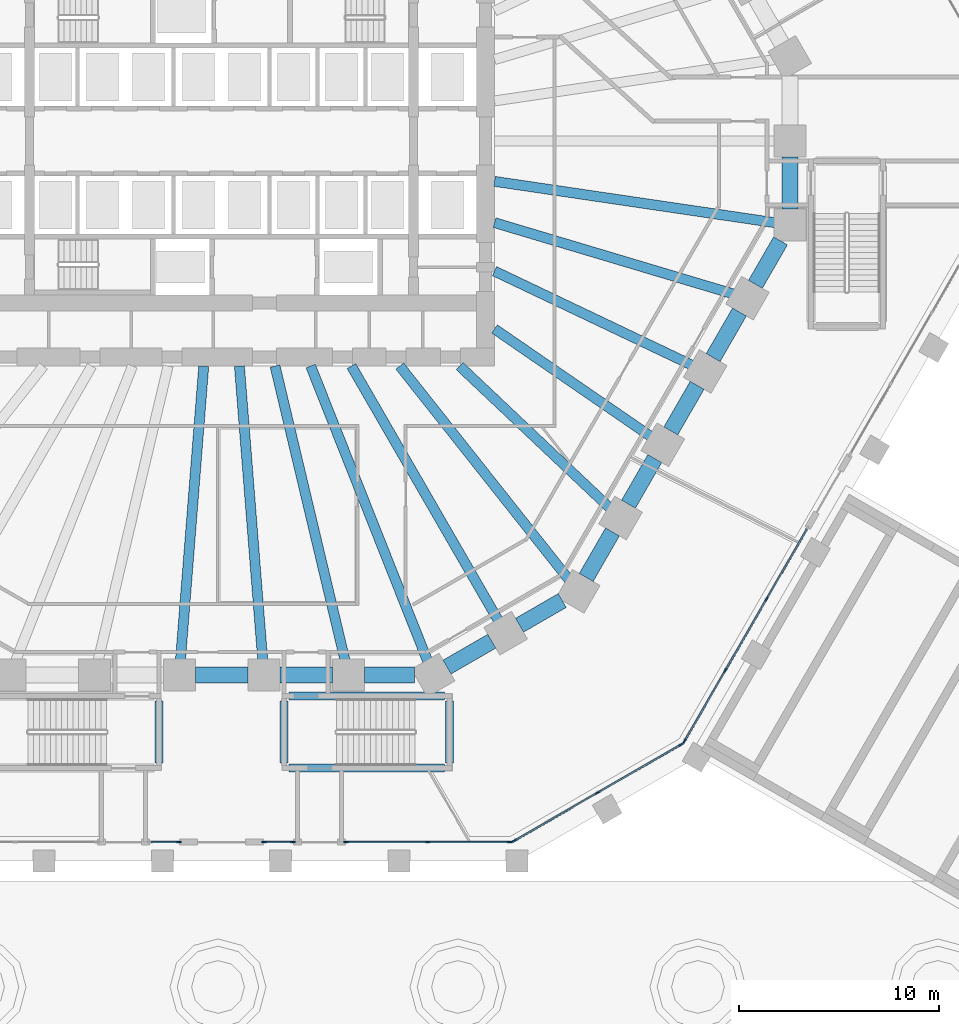
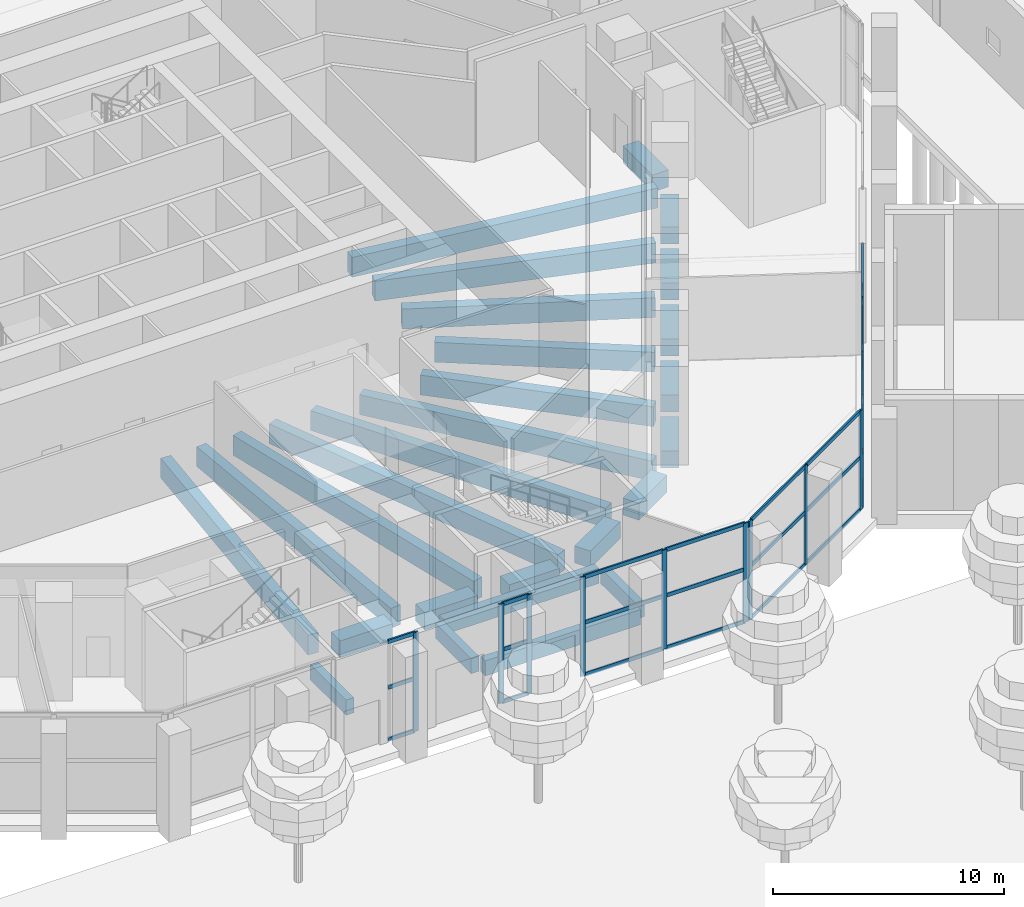
# One storey, part 6 of 44: 39 members, 27 beams, 5 elements without a shape of their own.
"""IFC4 building model written with IfcOpenShell, lengths in metres."""

from ifc_helpers import new_model, si_unit, direction, frame, origin, origin_2d, place, context, subcontext, project, spatial, rectangle, extrude, material, material_profile, profile_set, type_object, element, aggregate, save


model = new_model("IFC4")

# Units and contexts
model_context = context("Model", 3, precision=1e-05, world=origin(), true_north=direction((0.0, 1.0)))
body_context = subcontext(model_context, "Body", "Model", "MODEL_VIEW")
ifc_project = project(units=[si_unit("LENGTHUNIT", "METRE"), si_unit("AREAUNIT", "SQUARE_METRE"), si_unit("VOLUMEUNIT", "CUBIC_METRE"), si_unit("PLANEANGLEUNIT", "RADIAN"), si_unit("MASSUNIT", "GRAM", prefix="KILO")], contexts=[model_context])

# Site, building, storey
site_placement = place(None, origin())
site = spatial("IfcSite", under=ifc_project, at=site_placement, CompositionType="ELEMENT")
building_placement = place(site_placement, origin())
building = spatial("IfcBuilding", under=site, at=building_placement, Name="Frailejon Research Tower", CompositionType="ELEMENT")
storey_placement = place(building_placement, origin())
storey = spatial("IfcBuildingStorey", under=building, at=storey_placement, Name="L00", CompositionType="ELEMENT", Elevation=0.0)

# Beams
ifc_material_1 = material(Name="Concrete C60/75", Category="concrete")
ifc_material_profile_1 = material_profile(ifc_material_1, rectangle(XDim=0.5, YDim=1.050048828125, at=origin_2d()), Name="Girder 500x1050")
ifc_profile_set_1 = profile_set([ifc_material_profile_1], Name="Concrete C60/75")
beam_type_1 = type_object("IfcBeamType", Name="Girder 500x1050", PredefinedType="BEAM", material=ifc_profile_set_1)
beam_1_placement = place(storey_placement, frame((27.76123046875, -4.091552734375, -0.875), z_axis=(-0.989312272049, 0.145812305287, 0.0), x_axis=(-0.145812305287, -0.989312272049, 0.0)))
element("IfcBeam", 1, at=beam_1_placement, inside=storey, type_object=beam_type_1, Name="Girder 500x1050", PredefinedType="BEAM", context=body_context, shape_type="SweptSolid", body=[
    extrude(rectangle(XDim=0.5, YDim=1.050048828125, at=origin_2d()), origin(), (0.0, 0.0, 1.0), 14.263671875),
])
for number, where, z_axis, x_axis, name in (
    (2, (-2.064453125, -26.049560546875, -0.875), (0.079001387797, 0.996874506007, 0.0), (-0.996874506007, 0.079001387797, 0.0), "Girder 500x1050"),
    (3, (2.064453125, -26.049560546875, -0.875), (-0.079001387797, 0.996874506007, 0.0), (-0.996874506007, -0.079001387797, 0.0), "Girder 500x1050"),
):
    element("IfcBeam", number, at=place(storey_placement, frame(where, z_axis=z_axis, x_axis=x_axis)), inside=storey, type_object=beam_type_1, Name=name, PredefinedType="BEAM", context=body_context, shape_type="SweptSolid", body=[
        extrude(rectangle(XDim=0.5, YDim=1.050048828125, at=origin_2d()), origin(), (0.0, 0.0, 1.0), 14.845947265625),
    ])
beam_2_placement = place(storey_placement, frame((6.1923828125, -26.0458984375, -0.875), z_axis=(-0.23129352639, 0.972884013976, 0.0), x_axis=(-0.972884013976, -0.23129352639, 0.0)))
element("IfcBeam", 4, at=beam_2_placement, inside=storey, type_object=beam_type_1, Name="Girder 500x1050", PredefinedType="BEAM", context=body_context, shape_type="SweptSolid", body=[
    extrude(rectangle(XDim=0.5, YDim=1.050048828125, at=origin_2d()), origin(), (0.0, 0.0, 1.0), 15.208251953125),
])
beam_3_placement = place(storey_placement, frame((10.33740234375, -26.087646484375, -0.875), z_axis=(-0.368395300595, 0.929669243602, 0.0), x_axis=(-0.929669243602, -0.368395300595, 0.0)))
element("IfcBeam", 5, at=beam_3_placement, inside=storey, type_object=beam_type_1, Name="Girder 500x1050", PredefinedType="BEAM", context=body_context, shape_type="SweptSolid", body=[
    extrude(rectangle(XDim=0.5, YDim=1.050048828125, at=origin_2d()), origin(), (0.0, 0.0, 1.0), 15.960205078125),
])
beam_4_placement = place(storey_placement, frame((13.88134765625, -24.043212890625, -0.875), z_axis=(-0.500003328639, 0.866023481986, 0.0), x_axis=(-0.866023481986, -0.500003328639, 0.0)))
element("IfcBeam", 6, at=beam_4_placement, inside=storey, type_object=beam_type_1, Name="Girder 500x1050", PredefinedType="BEAM", context=body_context, shape_type="SweptSolid", body=[
    extrude(rectangle(XDim=0.5, YDim=1.050048828125, at=origin_2d()), origin(), (0.0, 0.0, 1.0), 14.7724609375),
])
beam_5_placement = place(storey_placement, frame((17.3916015625, -21.955322265625, -0.875), z_axis=(-0.620924993475, 0.783869984422, 0.0), x_axis=(-0.783869984422, -0.620924993475, 0.0)))
element("IfcBeam", 7, at=beam_5_placement, inside=storey, type_object=beam_type_1, Name="Girder 500x1050", PredefinedType="BEAM", context=body_context, shape_type="SweptSolid", body=[
    extrude(rectangle(XDim=0.5, YDim=1.050048828125, at=origin_2d()), origin(), (0.0, 0.0, 1.0), 13.656982421875),
])
beam_6_placement = place(storey_placement, frame((19.460205078125, -18.3857421875, -0.875), z_axis=(-0.72688803019, 0.686755991285, 0.0), x_axis=(-0.686755991285, -0.72688803019, 0.0)))
element("IfcBeam", 8, at=beam_6_placement, inside=storey, type_object=beam_type_1, Name="Girder 500x1050", PredefinedType="BEAM", context=body_context, shape_type="SweptSolid", body=[
    extrude(rectangle(XDim=0.5, YDim=1.050048828125, at=origin_2d()), origin(), (0.0, 0.0, 1.0), 10.390625),
])
beam_7_placement = place(storey_placement, frame((21.52734375, -14.8125, -0.875), z_axis=(-0.823825821578, 0.566843025626, 0.0), x_axis=(-0.566843025626, -0.823825821578, 0.0)))
element("IfcBeam", 9, at=beam_7_placement, inside=storey, type_object=beam_type_1, Name="Girder 500x1050", PredefinedType="BEAM", context=body_context, shape_type="SweptSolid", body=[
    extrude(rectangle(XDim=0.5, YDim=1.050048828125, at=origin_2d()), origin(), (0.0, 0.0, 1.0), 9.56201171875),
])
beam_8_placement = place(storey_placement, frame((23.591796875, -11.23681640625, -0.875), z_axis=(-0.902829780982, 0.429998123917, 0.0), x_axis=(-0.429998123917, -0.902829780982, 0.0)))
element("IfcBeam", 10, at=beam_8_placement, inside=storey, type_object=beam_type_1, Name="Girder 500x1050", PredefinedType="BEAM", context=body_context, shape_type="SweptSolid", body=[
    extrude(rectangle(XDim=0.5, YDim=1.050048828125, at=origin_2d()), origin(), (0.0, 0.0, 1.0), 11.011962890625),
])
beam_9_placement = place(storey_placement, frame((25.652587890625, -7.66015625, -0.875), z_axis=(-0.958189747387, 0.286133549242, 0.0), x_axis=(-0.286133549242, -0.958189747387, 0.0)))
element("IfcBeam", 11, at=beam_9_placement, inside=storey, type_object=beam_type_1, Name="Girder 500x1050", PredefinedType="BEAM", context=body_context, shape_type="SweptSolid", body=[
    extrude(rectangle(XDim=0.5, YDim=1.050048828125, at=origin_2d()), origin(), (0.0, 0.0, 1.0), 12.5263671875),
])

# Curtain wall, member
ifc_material_2 = material(Name="Aluminium curtain wall", Category="aluminium")
curtain_wall_type = type_object("IfcCurtainWallType", Name="Lobby atrium curtain wall system", PredefinedType="NOTDEFINED", material=ifc_material_2)
curtain_wall_1_placement = place(storey_placement, origin())
curtain_wall_1 = element("IfcCurtainWall", 12, at=curtain_wall_1_placement, inside=storey, type_object=curtain_wall_type, Name="Curtain wall L00", PredefinedType="NOTDEFINED")
ifc_material_3 = material(Name="Aluminium extrusion", Category="aluminium")
ifc_material_profile_2 = material_profile(ifc_material_3, rectangle(XDim=0.080078125, YDim=0.25, at=origin_2d()), Name="Lobby atrium curtain wall mullion 80x250")
ifc_profile_set_2 = profile_set([ifc_material_profile_2], Name="Aluminium extrusion")
member_type_1 = type_object("IfcMemberType", Name="Lobby atrium curtain wall mullion 80x250", PredefinedType="MULLION", material=ifc_profile_set_2)
member_1_placement = place(storey_placement, frame((-2.139892578125, -35.050048828125, 0.0), z_axis=(0.0, 0.0, 1.0), x_axis=(0.0, 1.0, 0.0)))
member_1 = element("IfcMember", 13, at=member_1_placement, type_object=member_type_1, Name="CW1-X04 mullion 2", PredefinedType="MULLION", context=body_context, shape_type="SweptSolid", body=[
    extrude(rectangle(XDim=0.080078125, YDim=0.25, at=origin_2d()), origin(), (0.0, 0.0, 1.0), 5.25),
])

# Curtain wall, members
curtain_wall_2_placement = place(storey_placement, origin())
curtain_wall_2 = element("IfcCurtainWall", 14, at=curtain_wall_2_placement, inside=storey, type_object=curtain_wall_type, Name="Curtain wall L00", PredefinedType="NOTDEFINED")
member_2_placement = place(storey_placement, frame((2.139892578125, -35.050048828125, 0.0), z_axis=(0.0, 0.0, 1.0), x_axis=(0.0, 1.0, 0.0)))
member_2 = element("IfcMember", 15, at=member_2_placement, type_object=member_type_1, Name="CW1-017 mullion 1", PredefinedType="MULLION", context=body_context, shape_type="SweptSolid", body=[
    extrude(rectangle(XDim=0.080078125, YDim=0.25, at=origin_2d()), origin(), (0.0, 0.0, 1.0), 5.25),
])
member_3_placement = place(storey_placement, frame((3.556884765625, -35.050048828125, 0.0), z_axis=(0.0, 0.0, 1.0), x_axis=(0.0, 1.0, 0.0)))
member_3 = element("IfcMember", 16, at=member_3_placement, type_object=member_type_1, Name="CW1-017 mullion 2", PredefinedType="MULLION", context=body_context, shape_type="SweptSolid", body=[
    extrude(rectangle(XDim=0.080078125, YDim=0.25, at=origin_2d()), origin(), (0.0, 0.0, 1.0), 5.25),
])

curtain_wall_3_placement = place(storey_placement, origin())
curtain_wall_3 = element("IfcCurtainWall", 17, at=curtain_wall_3_placement, inside=storey, type_object=curtain_wall_type, Name="Curtain wall L00", PredefinedType="NOTDEFINED")
member_4_placement = place(storey_placement, frame((6.23681640625, -35.050048828125, 0.0), z_axis=(0.0, 0.0, 1.0), x_axis=(0.0, 1.0, 0.0)))
member_4 = element("IfcMember", 18, at=member_4_placement, type_object=member_type_1, Name="CW1-X05 mullion 1", PredefinedType="MULLION", context=body_context, shape_type="SweptSolid", body=[
    extrude(rectangle(XDim=0.080078125, YDim=0.25, at=origin_2d()), origin(), (0.0, 0.0, 1.0), 5.25),
])
member_5_placement = place(storey_placement, frame((10.3134765625, -35.050048828125, 0.0), z_axis=(0.0, 0.0, 1.0), x_axis=(0.0, 1.0, 0.0)))
member_5 = element("IfcMember", 19, at=member_5_placement, type_object=member_type_1, Name="CW1-X05 mullion 2", PredefinedType="MULLION", context=body_context, shape_type="SweptSolid", body=[
    extrude(rectangle(XDim=0.080078125, YDim=0.25, at=origin_2d()), origin(), (0.0, 0.0, 1.0), 5.25),
])
member_6_placement = place(storey_placement, frame((14.39013671875, -35.050048828125, 0.0), z_axis=(0.0, 0.0, 1.0), x_axis=(0.0, 1.0, 0.0)))
member_6 = element("IfcMember", 20, at=member_6_placement, type_object=member_type_1, Name="CW1-X05 mullion 3", PredefinedType="MULLION", context=body_context, shape_type="SweptSolid", body=[
    extrude(rectangle(XDim=0.080078125, YDim=0.25, at=origin_2d()), origin(), (0.0, 0.0, 1.0), 5.25),
])

curtain_wall_4_placement = place(storey_placement, origin())
curtain_wall_4 = element("IfcCurtainWall", 21, at=curtain_wall_4_placement, inside=storey, type_object=curtain_wall_type, Name="Curtain wall L00", PredefinedType="NOTDEFINED")
member_7_placement = place(storey_placement, frame((14.6513671875, -34.97998046875, 0.0), z_axis=(0.0, 0.0, 1.0), x_axis=(-0.499999874334, 0.866025476338, 0.0)))
member_7 = element("IfcMember", 22, at=member_7_placement, type_object=member_type_1, Name="CW1-018 mullion 1", PredefinedType="MULLION", context=body_context, shape_type="SweptSolid", body=[
    extrude(rectangle(XDim=0.080078125, YDim=0.25, at=origin_2d()), origin(), (0.0, 0.0, 1.0), 5.25),
])
member_8_placement = place(storey_placement, frame((18.8095703125, -32.5791015625, 0.0), z_axis=(0.0, 0.0, 1.0), x_axis=(-0.499999874334, 0.866025476338, 0.0)))
member_8 = element("IfcMember", 23, at=member_8_placement, type_object=member_type_1, Name="CW1-018 mullion 2", PredefinedType="MULLION", context=body_context, shape_type="SweptSolid", body=[
    extrude(rectangle(XDim=0.080078125, YDim=0.25, at=origin_2d()), origin(), (0.0, 0.0, 1.0), 5.25),
])
member_9_placement = place(storey_placement, frame((22.968017578125, -30.178466796875, 0.0), z_axis=(0.0, 0.0, 1.0), x_axis=(-0.499999874334, 0.866025476338, 0.0)))
member_9 = element("IfcMember", 24, at=member_9_placement, type_object=member_type_1, Name="CW1-018 mullion 3", PredefinedType="MULLION", context=body_context, shape_type="SweptSolid", body=[
    extrude(rectangle(XDim=0.080078125, YDim=0.25, at=origin_2d()), origin(), (0.0, 0.0, 1.0), 5.25),
])

curtain_wall_5_placement = place(storey_placement, origin())
curtain_wall_5 = element("IfcCurtainWall", 25, at=curtain_wall_5_placement, inside=storey, type_object=curtain_wall_type, Name="Curtain wall L00", PredefinedType="NOTDEFINED")
member_10_placement = place(storey_placement, frame((23.1591796875, -29.987060546875, 0.0), z_axis=(0.0, 0.0, 1.0), x_axis=(-0.866025541081, 0.499999762196, 0.0)))
member_10 = element("IfcMember", 26, at=member_10_placement, type_object=member_type_1, Name="CW1-019 mullion 1", PredefinedType="MULLION", context=body_context, shape_type="SweptSolid", body=[
    extrude(rectangle(XDim=0.080078125, YDim=0.25, at=origin_2d()), origin(), (0.0, 0.0, 1.0), 5.25),
])
member_11_placement = place(storey_placement, frame((25.194091796875, -26.46240234375, 0.0), z_axis=(0.0, 0.0, 1.0), x_axis=(-0.866025541081, 0.499999762196, 0.0)))
member_11 = element("IfcMember", 27, at=member_11_placement, type_object=member_type_1, Name="CW1-019 mullion 2", PredefinedType="MULLION", context=body_context, shape_type="SweptSolid", body=[
    extrude(rectangle(XDim=0.080078125, YDim=0.25, at=origin_2d()), origin(), (0.0, 0.0, 1.0), 5.25),
])
member_12_placement = place(storey_placement, frame((27.249267578125, -22.903076171875, 0.0), z_axis=(0.0, 0.0, 1.0), x_axis=(-0.866025541081, 0.499999762196, 0.0)))
member_12 = element("IfcMember", 28, at=member_12_placement, type_object=member_type_1, Name="CW1-019 mullion 3", PredefinedType="MULLION", context=body_context, shape_type="SweptSolid", body=[
    extrude(rectangle(XDim=0.080078125, YDim=0.25, at=origin_2d()), origin(), (0.0, 0.0, 1.0), 5.25),
])

# Member
ifc_material_4 = material(Name="Aluminium extrusion", Category="aluminium")
ifc_material_profile_3 = material_profile(ifc_material_4, rectangle(XDim=0.080078125, YDim=0.199951171875, at=origin_2d()), Name="Lobby atrium curtain wall transom 80x200")
ifc_profile_set_3 = profile_set([ifc_material_profile_3], Name="Aluminium extrusion")
member_type_2 = type_object("IfcMemberType", Name="Lobby atrium curtain wall transom 80x200", PredefinedType="USERDEFINED", material=ifc_profile_set_3)
member_13_placement = place(storey_placement, frame((-3.51708984375, -35.050048828125, 0.0400390625), z_axis=(1.0, 0.0, 0.0), x_axis=(0.0, 1.0, 0.0)))
member_13 = element("IfcMember", 29, at=member_13_placement, type_object=member_type_2, Name="CW1-X04 transom 1.1", ObjectType="TRANSOM", PredefinedType="USERDEFINED", context=body_context, shape_type="SweptSolid", body=[
    extrude(rectangle(XDim=0.080078125, YDim=0.199951171875, at=origin_2d()), origin(), (0.0, 0.0, 1.0), 1.337158203125),
])

member_14_placement = place(storey_placement, frame((-3.51708984375, -35.050048828125, 2.800048828125), z_axis=(1.0, 0.0, 0.0), x_axis=(0.0, 1.0, 0.0)))
member_14 = element("IfcMember", 30, at=member_14_placement, type_object=member_type_2, Name="CW1-X04 transom 1.2", ObjectType="TRANSOM", PredefinedType="USERDEFINED", context=body_context, shape_type="SweptSolid", body=[
    extrude(rectangle(XDim=0.080078125, YDim=0.199951171875, at=origin_2d()), origin(), (0.0, 0.0, 1.0), 1.337158203125),
])

member_15_placement = place(storey_placement, frame((-3.51708984375, -35.050048828125, 5.2099609375), z_axis=(1.0, 0.0, 0.0), x_axis=(0.0, 1.0, 0.0)))
member_15 = element("IfcMember", 31, at=member_15_placement, type_object=member_type_2, Name="CW1-X04 transom 1.3", ObjectType="TRANSOM", PredefinedType="USERDEFINED", context=body_context, shape_type="SweptSolid", body=[
    extrude(rectangle(XDim=0.080078125, YDim=0.199951171875, at=origin_2d()), origin(), (0.0, 0.0, 1.0), 1.337158203125),
])

aggregate(curtain_wall_1, [member_1, member_13, member_14, member_15])

member_16_placement = place(storey_placement, frame((2.179931640625, -35.050048828125, 0.0400390625), z_axis=(1.0, 0.0, 0.0), x_axis=(0.0, 1.0, 0.0)))
member_16 = element("IfcMember", 32, at=member_16_placement, type_object=member_type_2, Name="CW1-017 transom 1.1", ObjectType="TRANSOM", PredefinedType="USERDEFINED", context=body_context, shape_type="SweptSolid", body=[
    extrude(rectangle(XDim=0.080078125, YDim=0.199951171875, at=origin_2d()), origin(), (0.0, 0.0, 1.0), 1.3369140625),
])

member_17_placement = place(storey_placement, frame((2.179931640625, -35.050048828125, 2.800048828125), z_axis=(1.0, 0.0, 0.0), x_axis=(0.0, 1.0, 0.0)))
member_17 = element("IfcMember", 33, at=member_17_placement, type_object=member_type_2, Name="CW1-017 transom 1.2", ObjectType="TRANSOM", PredefinedType="USERDEFINED", context=body_context, shape_type="SweptSolid", body=[
    extrude(rectangle(XDim=0.080078125, YDim=0.199951171875, at=origin_2d()), origin(), (0.0, 0.0, 1.0), 1.3369140625),
])

member_18_placement = place(storey_placement, frame((2.179931640625, -35.050048828125, 5.2099609375), z_axis=(1.0, 0.0, 0.0), x_axis=(0.0, 1.0, 0.0)))
member_18 = element("IfcMember", 34, at=member_18_placement, type_object=member_type_2, Name="CW1-017 transom 1.3", ObjectType="TRANSOM", PredefinedType="USERDEFINED", context=body_context, shape_type="SweptSolid", body=[
    extrude(rectangle(XDim=0.080078125, YDim=0.199951171875, at=origin_2d()), origin(), (0.0, 0.0, 1.0), 1.3369140625),
])

aggregate(curtain_wall_2, [member_2, member_3, member_16, member_17, member_18])

member_19_placement = place(storey_placement, frame((6.27685546875, -35.050048828125, 0.0400390625), z_axis=(1.0, 0.0, 0.0), x_axis=(0.0, 1.0, 0.0)))
member_19 = element("IfcMember", 35, at=member_19_placement, type_object=member_type_2, Name="CW1-X05 transom 1.1", ObjectType="TRANSOM", PredefinedType="USERDEFINED", context=body_context, shape_type="SweptSolid", body=[
    extrude(rectangle(XDim=0.080078125, YDim=0.199951171875, at=origin_2d()), origin(), (0.0, 0.0, 1.0), 3.99658203125),
])

member_20_placement = place(storey_placement, frame((6.27685546875, -35.050048828125, 2.800048828125), z_axis=(1.0, 0.0, 0.0), x_axis=(0.0, 1.0, 0.0)))
member_20 = element("IfcMember", 36, at=member_20_placement, type_object=member_type_2, Name="CW1-X05 transom 1.2", ObjectType="TRANSOM", PredefinedType="USERDEFINED", context=body_context, shape_type="SweptSolid", body=[
    extrude(rectangle(XDim=0.080078125, YDim=0.199951171875, at=origin_2d()), origin(), (0.0, 0.0, 1.0), 3.99658203125),
])

member_21_placement = place(storey_placement, frame((6.27685546875, -35.050048828125, 5.2099609375), z_axis=(1.0, 0.0, 0.0), x_axis=(0.0, 1.0, 0.0)))
member_21 = element("IfcMember", 37, at=member_21_placement, type_object=member_type_2, Name="CW1-X05 transom 1.3", ObjectType="TRANSOM", PredefinedType="USERDEFINED", context=body_context, shape_type="SweptSolid", body=[
    extrude(rectangle(XDim=0.080078125, YDim=0.199951171875, at=origin_2d()), origin(), (0.0, 0.0, 1.0), 3.99658203125),
])

member_22_placement = place(storey_placement, frame((10.353515625, -35.050048828125, 0.0400390625), z_axis=(1.0, 0.0, 0.0), x_axis=(0.0, 1.0, 0.0)))
member_22 = element("IfcMember", 38, at=member_22_placement, type_object=member_type_2, Name="CW1-X05 transom 2.1", ObjectType="TRANSOM", PredefinedType="USERDEFINED", context=body_context, shape_type="SweptSolid", body=[
    extrude(rectangle(XDim=0.080078125, YDim=0.199951171875, at=origin_2d()), origin(), (0.0, 0.0, 1.0), 3.99658203125),
])

member_23_placement = place(storey_placement, frame((10.353515625, -35.050048828125, 2.800048828125), z_axis=(1.0, 0.0, 0.0), x_axis=(0.0, 1.0, 0.0)))
member_23 = element("IfcMember", 39, at=member_23_placement, type_object=member_type_2, Name="CW1-X05 transom 2.2", ObjectType="TRANSOM", PredefinedType="USERDEFINED", context=body_context, shape_type="SweptSolid", body=[
    extrude(rectangle(XDim=0.080078125, YDim=0.199951171875, at=origin_2d()), origin(), (0.0, 0.0, 1.0), 3.99658203125),
])

member_24_placement = place(storey_placement, frame((10.353515625, -35.050048828125, 5.2099609375), z_axis=(1.0, 0.0, 0.0), x_axis=(0.0, 1.0, 0.0)))
member_24 = element("IfcMember", 40, at=member_24_placement, type_object=member_type_2, Name="CW1-X05 transom 2.3", ObjectType="TRANSOM", PredefinedType="USERDEFINED", context=body_context, shape_type="SweptSolid", body=[
    extrude(rectangle(XDim=0.080078125, YDim=0.199951171875, at=origin_2d()), origin(), (0.0, 0.0, 1.0), 3.99658203125),
])

aggregate(curtain_wall_3, [member_4, member_5, member_6, member_19, member_20, member_21, member_22, member_23, member_24])

member_25_placement = place(storey_placement, frame((14.68603515625, -34.9599609375, 0.0400390625), z_axis=(0.866013364391, 0.500020852261, 0.0), x_axis=(-0.500020852261, 0.866013364391, 0.0)))
member_25 = element("IfcMember", 41, at=member_25_placement, type_object=member_type_2, Name="CW1-018 transom 1.1", ObjectType="TRANSOM", PredefinedType="USERDEFINED", context=body_context, shape_type="SweptSolid", body=[
    extrude(rectangle(XDim=0.080078125, YDim=0.199951171875, at=origin_2d()), origin(), (0.0, 0.0, 1.0), 4.721435546875),
])

member_26_placement = place(storey_placement, frame((14.68603515625, -34.9599609375, 2.800048828125), z_axis=(0.866013364391, 0.500020852261, 0.0), x_axis=(-0.500020852261, 0.866013364391, 0.0)))
member_26 = element("IfcMember", 42, at=member_26_placement, type_object=member_type_2, Name="CW1-018 transom 1.2", ObjectType="TRANSOM", PredefinedType="USERDEFINED", context=body_context, shape_type="SweptSolid", body=[
    extrude(rectangle(XDim=0.080078125, YDim=0.199951171875, at=origin_2d()), origin(), (0.0, 0.0, 1.0), 4.721435546875),
])

member_27_placement = place(storey_placement, frame((14.68603515625, -34.9599609375, 5.2099609375), z_axis=(0.866013364391, 0.500020852261, 0.0), x_axis=(-0.500020852261, 0.866013364391, 0.0)))
member_27 = element("IfcMember", 43, at=member_27_placement, type_object=member_type_2, Name="CW1-018 transom 1.3", ObjectType="TRANSOM", PredefinedType="USERDEFINED", context=body_context, shape_type="SweptSolid", body=[
    extrude(rectangle(XDim=0.080078125, YDim=0.199951171875, at=origin_2d()), origin(), (0.0, 0.0, 1.0), 4.721435546875),
])

member_28_placement = place(storey_placement, frame((18.84423828125, -32.55908203125, 0.0400390625), z_axis=(0.866048680801, 0.499959680857, 0.0), x_axis=(-0.499959680857, 0.866048680801, 0.0)))
member_28 = element("IfcMember", 44, at=member_28_placement, type_object=member_type_2, Name="CW1-018 transom 2.1", ObjectType="TRANSOM", PredefinedType="USERDEFINED", context=body_context, shape_type="SweptSolid", body=[
    extrude(rectangle(XDim=0.080078125, YDim=0.199951171875, at=origin_2d()), origin(), (0.0, 0.0, 1.0), 4.7216796875),
])

member_29_placement = place(storey_placement, frame((18.84423828125, -32.55908203125, 2.800048828125), z_axis=(0.866048680801, 0.499959680857, 0.0), x_axis=(-0.499959680857, 0.866048680801, 0.0)))
member_29 = element("IfcMember", 45, at=member_29_placement, type_object=member_type_2, Name="CW1-018 transom 2.2", ObjectType="TRANSOM", PredefinedType="USERDEFINED", context=body_context, shape_type="SweptSolid", body=[
    extrude(rectangle(XDim=0.080078125, YDim=0.199951171875, at=origin_2d()), origin(), (0.0, 0.0, 1.0), 4.7216796875),
])

member_30_placement = place(storey_placement, frame((18.84423828125, -32.55908203125, 5.2099609375), z_axis=(0.866048680801, 0.499959680857, 0.0), x_axis=(-0.499959680857, 0.866048680801, 0.0)))
member_30 = element("IfcMember", 46, at=member_30_placement, type_object=member_type_2, Name="CW1-018 transom 2.3", ObjectType="TRANSOM", PredefinedType="USERDEFINED", context=body_context, shape_type="SweptSolid", body=[
    extrude(rectangle(XDim=0.080078125, YDim=0.199951171875, at=origin_2d()), origin(), (0.0, 0.0, 1.0), 4.7216796875),
])

aggregate(curtain_wall_4, [member_7, member_8, member_9, member_25, member_26, member_27, member_28, member_29, member_30])

member_31_placement = place(storey_placement, frame((23.17919921875, -29.95263671875, 0.0400390625), z_axis=(0.500008456887, 0.866020521143, 0.0), x_axis=(-0.866020521143, 0.500008456887, 0.0)))
member_31 = element("IfcMember", 47, at=member_31_placement, type_object=member_type_2, Name="CW1-019 transom 1.1", ObjectType="TRANSOM", PredefinedType="USERDEFINED", context=body_context, shape_type="SweptSolid", body=[
    extrude(rectangle(XDim=0.080078125, YDim=0.199951171875, at=origin_2d()), origin(), (0.0, 0.0, 1.0), 3.990234375),
])

member_32_placement = place(storey_placement, frame((23.17919921875, -29.95263671875, 2.800048828125), z_axis=(0.500008456887, 0.866020521143, 0.0), x_axis=(-0.866020521143, 0.500008456887, 0.0)))
member_32 = element("IfcMember", 48, at=member_32_placement, type_object=member_type_2, Name="CW1-019 transom 1.2", ObjectType="TRANSOM", PredefinedType="USERDEFINED", context=body_context, shape_type="SweptSolid", body=[
    extrude(rectangle(XDim=0.080078125, YDim=0.199951171875, at=origin_2d()), origin(), (0.0, 0.0, 1.0), 3.990234375),
])

member_33_placement = place(storey_placement, frame((23.17919921875, -29.95263671875, 5.2099609375), z_axis=(0.500008456887, 0.866020521143, 0.0), x_axis=(-0.866020521143, 0.500008456887, 0.0)))
member_33 = element("IfcMember", 49, at=member_33_placement, type_object=member_type_2, Name="CW1-019 transom 1.3", ObjectType="TRANSOM", PredefinedType="USERDEFINED", context=body_context, shape_type="SweptSolid", body=[
    extrude(rectangle(XDim=0.080078125, YDim=0.199951171875, at=origin_2d()), origin(), (0.0, 0.0, 1.0), 3.990234375),
])

member_34_placement = place(storey_placement, frame((25.214111328125, -26.427734375, 0.0400390625), z_axis=(0.500035344125, 0.866004996883, 0.0), x_axis=(-0.866004996883, 0.500035344125, 0.0)))
member_34 = element("IfcMember", 50, at=member_34_placement, type_object=member_type_2, Name="CW1-019 transom 2.1", ObjectType="TRANSOM", PredefinedType="USERDEFINED", context=body_context, shape_type="SweptSolid", body=[
    extrude(rectangle(XDim=0.080078125, YDim=0.199951171875, at=origin_2d()), origin(), (0.0, 0.0, 1.0), 4.030029296875),
])

member_35_placement = place(storey_placement, frame((25.214111328125, -26.427734375, 2.800048828125), z_axis=(0.500035344125, 0.866004996883, 0.0), x_axis=(-0.866004996883, 0.500035344125, 0.0)))
member_35 = element("IfcMember", 51, at=member_35_placement, type_object=member_type_2, Name="CW1-019 transom 2.2", ObjectType="TRANSOM", PredefinedType="USERDEFINED", context=body_context, shape_type="SweptSolid", body=[
    extrude(rectangle(XDim=0.080078125, YDim=0.199951171875, at=origin_2d()), origin(), (0.0, 0.0, 1.0), 4.030029296875),
])

member_36_placement = place(storey_placement, frame((25.214111328125, -26.427734375, 5.2099609375), z_axis=(0.500035344125, 0.866004996883, 0.0), x_axis=(-0.866004996883, 0.500035344125, 0.0)))
member_36 = element("IfcMember", 52, at=member_36_placement, type_object=member_type_2, Name="CW1-019 transom 2.3", ObjectType="TRANSOM", PredefinedType="USERDEFINED", context=body_context, shape_type="SweptSolid", body=[
    extrude(rectangle(XDim=0.080078125, YDim=0.199951171875, at=origin_2d()), origin(), (0.0, 0.0, 1.0), 4.030029296875),
])

member_37_placement = place(storey_placement, frame((27.269287109375, -22.868408203125, 0.0400390625), z_axis=(0.499989060909, 0.866031719379, 0.0), x_axis=(-0.866031719379, 0.499989060909, 0.0)))
member_37 = element("IfcMember", 53, at=member_37_placement, type_object=member_type_2, Name="CW1-019 transom 3.1", ObjectType="TRANSOM", PredefinedType="USERDEFINED", context=body_context, shape_type="SweptSolid", body=[
    extrude(rectangle(XDim=0.080078125, YDim=0.199951171875, at=origin_2d()), origin(), (0.0, 0.0, 1.0), 3.98974609375),
])

member_38_placement = place(storey_placement, frame((27.269287109375, -22.868408203125, 2.800048828125), z_axis=(0.499989060909, 0.866031719379, 0.0), x_axis=(-0.866031719379, 0.499989060909, 0.0)))
member_38 = element("IfcMember", 54, at=member_38_placement, type_object=member_type_2, Name="CW1-019 transom 3.2", ObjectType="TRANSOM", PredefinedType="USERDEFINED", context=body_context, shape_type="SweptSolid", body=[
    extrude(rectangle(XDim=0.080078125, YDim=0.199951171875, at=origin_2d()), origin(), (0.0, 0.0, 1.0), 3.98974609375),
])

member_39_placement = place(storey_placement, frame((27.269287109375, -22.868408203125, 5.2099609375), z_axis=(0.499989060909, 0.866031719379, 0.0), x_axis=(-0.866031719379, 0.499989060909, 0.0)))
member_39 = element("IfcMember", 55, at=member_39_placement, type_object=member_type_2, Name="CW1-019 transom 3.3", ObjectType="TRANSOM", PredefinedType="USERDEFINED", context=body_context, shape_type="SweptSolid", body=[
    extrude(rectangle(XDim=0.080078125, YDim=0.199951171875, at=origin_2d()), origin(), (0.0, 0.0, 1.0), 3.98974609375),
])

aggregate(curtain_wall_5, [member_10, member_11, member_12, member_31, member_32, member_33, member_34, member_35, member_36, member_37, member_38, member_39])

# Beams
ifc_material_5 = material(Name="Concrete C60/75", Category="concrete")
ifc_material_profile_4 = material_profile(ifc_material_5, rectangle(XDim=0.800048828125, YDim=0.89990234375, at=origin_2d()), Name="Podium ring beam")
ifc_profile_set_4 = profile_set([ifc_material_profile_4], Name="Concrete C60/75")
beam_type_2 = type_object("IfcBeamType", Name="Podium ring beam", PredefinedType="BEAM", material=ifc_profile_set_4)
beam_10_placement = place(storey_placement, frame((28.412841796875, -3.3876953125, -0.800048828125), z_axis=(0.0, 1.0, 0.0), x_axis=(-1.0, 0.0, 0.0)))
element("IfcBeam", 56, at=beam_10_placement, inside=storey, type_object=beam_type_2, Name="Podium ring beam", PredefinedType="BEAM", context=body_context, shape_type="SweptSolid", body=[
    extrude(rectangle(XDim=0.800048828125, YDim=0.89990234375, at=origin_2d()), origin(), (0.0, 0.0, 1.0), 2.587646484375),
])
for number, where, z_axis, x_axis, name in (
    (57, (-1.31591796875, -26.699951171875, -0.800048828125), (1.0, 0.0, 0.0), (0.0, 1.0, 0.0), "Podium ring beam"),
    (58, (2.916015625, -26.699951171875, -0.800048828125), (1.0, 0.0, 0.0), (0.0, 1.0, 0.0), "Podium ring beam"),
):
    element("IfcBeam", number, at=place(storey_placement, frame(where, z_axis=z_axis, x_axis=x_axis)), inside=storey, type_object=beam_type_2, Name=name, PredefinedType="BEAM", context=body_context, shape_type="SweptSolid", body=[
        extrude(rectangle(XDim=0.800048828125, YDim=0.89990234375, at=origin_2d()), origin(), (0.0, 0.0, 1.0), 2.6318359375),
    ])
beam_11_placement = place(storey_placement, frame((7.14794921875, -26.699951171875, -0.800048828125), z_axis=(1.0, 0.0, 0.0), x_axis=(0.0, 1.0, 0.0)))
element("IfcBeam", 59, at=beam_11_placement, inside=storey, type_object=beam_type_2, Name="Podium ring beam", PredefinedType="BEAM", context=body_context, shape_type="SweptSolid", body=[
    extrude(rectangle(XDim=0.800048828125, YDim=0.89990234375, at=origin_2d()), origin(), (0.0, 0.0, 1.0), 2.508056640625),
])
beam_12_placement = place(storey_placement, frame((11.272705078125, -26.300048828125, -0.800048828125), z_axis=(0.866004899711, 0.500035512416, 0.0), x_axis=(-0.500035512416, 0.866004899711, 0.0)))
element("IfcBeam", 60, at=beam_12_placement, inside=storey, type_object=beam_type_2, Name="Podium ring beam", PredefinedType="BEAM", context=body_context, shape_type="SweptSolid", body=[
    extrude(rectangle(XDim=0.800048828125, YDim=0.89990234375, at=origin_2d()), origin(), (0.0, 0.0, 1.0), 2.587646484375),
])
beam_13_placement = place(storey_placement, frame((14.899169921875, -24.206298828125, -0.800048828125), z_axis=(0.86602717807, 0.499996926835, 0.0), x_axis=(-0.499996926835, 0.86602717807, 0.0)))
element("IfcBeam", 61, at=beam_13_placement, inside=storey, type_object=beam_type_2, Name="Podium ring beam", PredefinedType="BEAM", context=body_context, shape_type="SweptSolid", body=[
    extrude(rectangle(XDim=0.800048828125, YDim=0.89990234375, at=origin_2d()), origin(), (0.0, 0.0, 1.0), 2.4638671875),
])
beam_14_placement = place(storey_placement, frame((18.23291015625, -21.819580078125, -0.800048828125), z_axis=(0.499990112884, 0.866031112038, 0.0), x_axis=(-0.866031112038, 0.499990112884, 0.0)))
element("IfcBeam", 62, at=beam_14_placement, inside=storey, type_object=beam_type_2, Name="Podium ring beam", PredefinedType="BEAM", context=body_context, shape_type="SweptSolid", body=[
    extrude(rectangle(XDim=0.800048828125, YDim=0.89990234375, at=origin_2d()), origin(), (0.0, 0.0, 1.0), 2.6318359375),
])
beam_15_placement = place(storey_placement, frame((20.348876953125, -18.15478515625, -0.800048828125), z_axis=(0.499949948743, 0.866054298963, 0.0), x_axis=(-0.866054298963, 0.499949948743, 0.0)))
element("IfcBeam", 63, at=beam_15_placement, inside=storey, type_object=beam_type_2, Name="Podium ring beam", PredefinedType="BEAM", context=body_context, shape_type="SweptSolid", body=[
    extrude(rectangle(XDim=0.800048828125, YDim=0.89990234375, at=origin_2d()), origin(), (0.0, 0.0, 1.0), 2.632080078125),
])
beam_16_placement = place(storey_placement, frame((22.46484375, -14.48974609375, -0.800048828125), z_axis=(0.500019514865, 0.866014136579, 0.0), x_axis=(-0.866014136579, 0.500019514865, 0.0)))
element("IfcBeam", 64, at=beam_16_placement, inside=storey, type_object=beam_type_2, Name="Podium ring beam", PredefinedType="BEAM", context=body_context, shape_type="SweptSolid", body=[
    extrude(rectangle(XDim=0.800048828125, YDim=0.89990234375, at=origin_2d()), origin(), (0.0, 0.0, 1.0), 2.63232421875),
])
beam_17_placement = place(storey_placement, frame((24.580810546875, -10.82470703125, -0.800048828125), z_axis=(0.499990112884, 0.866031112038, 0.0), x_axis=(-0.866031112038, 0.499990112884, 0.0)))
element("IfcBeam", 65, at=beam_17_placement, inside=storey, type_object=beam_type_2, Name="Podium ring beam", PredefinedType="BEAM", context=body_context, shape_type="SweptSolid", body=[
    extrude(rectangle(XDim=0.800048828125, YDim=0.89990234375, at=origin_2d()), origin(), (0.0, 0.0, 1.0), 2.6318359375),
])
beam_18_placement = place(storey_placement, frame((26.69677734375, -7.15966796875, -0.800048828125), z_axis=(0.500022970635, 0.866012141276, 0.0), x_axis=(-0.866012141276, 0.500022970635, 0.0)))
element("IfcBeam", 66, at=beam_18_placement, inside=storey, type_object=beam_type_2, Name="Podium ring beam", PredefinedType="BEAM", context=body_context, shape_type="SweptSolid", body=[
    extrude(rectangle(XDim=0.800048828125, YDim=0.89990234375, at=origin_2d()), origin(), (0.0, 0.0, 1.0), 2.50830078125),
])
ifc_material_6 = material(Name="Concrete C60/75", Category="concrete")
ifc_material_profile_5 = material_profile(ifc_material_6, rectangle(XDim=0.39990234375, YDim=0.800048828125, at=origin_2d()), Name="Stair box transfer beam 400x800")
ifc_profile_set_5 = profile_set([ifc_material_profile_5], Name="Concrete C60/75")
beam_type_3 = type_object("IfcBeamType", Name="Stair box transfer beam 400x800", PredefinedType="BEAM", material=ifc_profile_set_5)
beam_19_placement = place(storey_placement, frame((-3.132080078125, -31.10009765625, -0.75), z_axis=(0.0, 1.0, 0.0), x_axis=(-1.0, 0.0, 0.0)))
element("IfcBeam", 67, at=beam_19_placement, inside=storey, type_object=beam_type_3, Name="PS3 box transfer beam 4", PredefinedType="BEAM", context=body_context, shape_type="SweptSolid", body=[
    extrude(rectangle(XDim=0.39990234375, YDim=0.800048828125, at=origin_2d()), origin(), (0.0, 0.0, 1.0), 3.10009765625),
])
beam_20_placement = place(storey_placement, frame((3.382080078125, -27.75, -0.75), z_axis=(1.0, 0.0, 0.0), x_axis=(0.0, 1.0, 0.0)))
element("IfcBeam", 68, at=beam_20_placement, inside=storey, type_object=beam_type_3, Name="PS4 box transfer beam 1", PredefinedType="BEAM", context=body_context, shape_type="SweptSolid", body=[
    extrude(rectangle(XDim=0.39990234375, YDim=0.800048828125, at=origin_2d()), origin(), (0.0, 0.0, 1.0), 7.769775390625),
])
beam_21_placement = place(storey_placement, frame((11.40185546875, -28.0, -0.75), z_axis=(0.0, -1.0, 0.0), x_axis=(1.0, 0.0, 0.0)))
element("IfcBeam", 69, at=beam_21_placement, inside=storey, type_object=beam_type_3, Name="PS4 box transfer beam 2", PredefinedType="BEAM", context=body_context, shape_type="SweptSolid", body=[
    extrude(rectangle(XDim=0.39990234375, YDim=0.800048828125, at=origin_2d()), origin(), (0.0, 0.0, 1.0), 3.10009765625),
])
beam_22_placement = place(storey_placement, frame((11.15185546875, -31.35009765625, -0.75), z_axis=(-1.0, 0.0, 0.0), x_axis=(0.0, -1.0, 0.0)))
element("IfcBeam", 70, at=beam_22_placement, inside=storey, type_object=beam_type_3, Name="PS4 box transfer beam 3", PredefinedType="BEAM", context=body_context, shape_type="SweptSolid", body=[
    extrude(rectangle(XDim=0.39990234375, YDim=0.800048828125, at=origin_2d()), origin(), (0.0, 0.0, 1.0), 7.769775390625),
])
beam_23_placement = place(storey_placement, frame((3.132080078125, -31.10009765625, -0.75), z_axis=(0.0, 1.0, 0.0), x_axis=(-1.0, 0.0, 0.0)))
element("IfcBeam", 71, at=beam_23_placement, inside=storey, type_object=beam_type_3, Name="PS4 box transfer beam 4", PredefinedType="BEAM", context=body_context, shape_type="SweptSolid", body=[
    extrude(rectangle(XDim=0.39990234375, YDim=0.800048828125, at=origin_2d()), origin(), (0.0, 0.0, 1.0), 3.10009765625),
])

save(model, "model.ifc")
